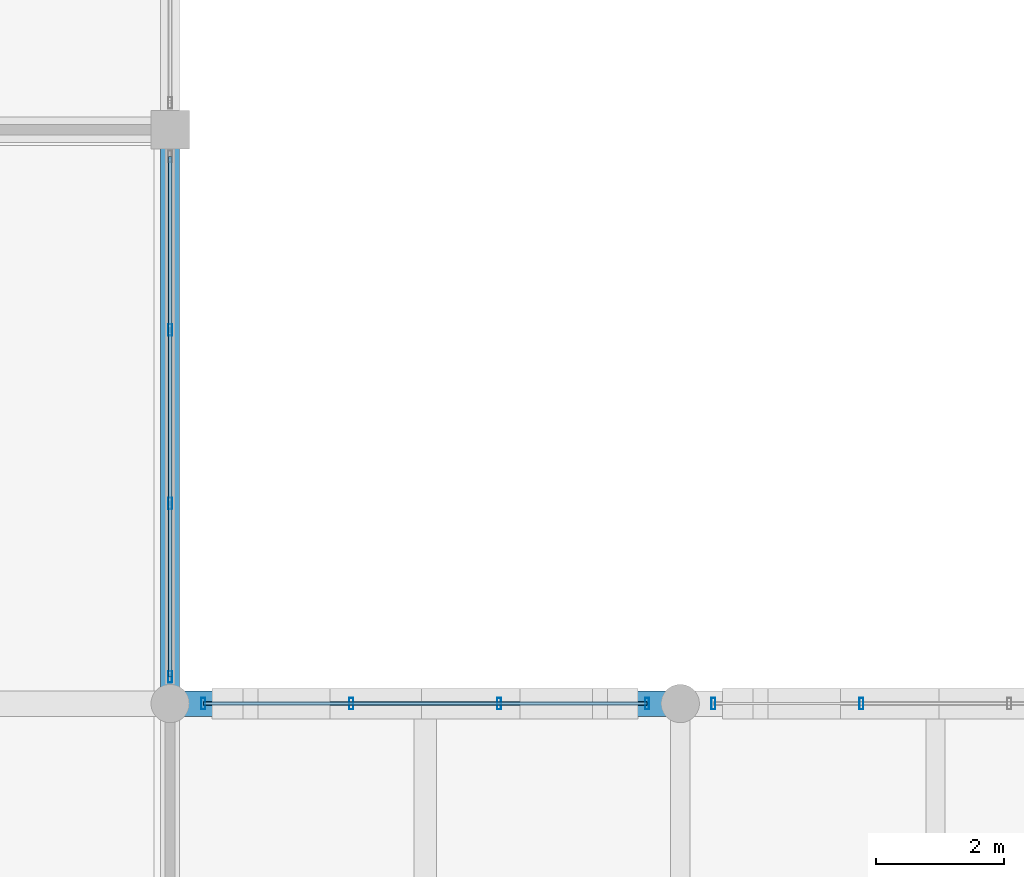
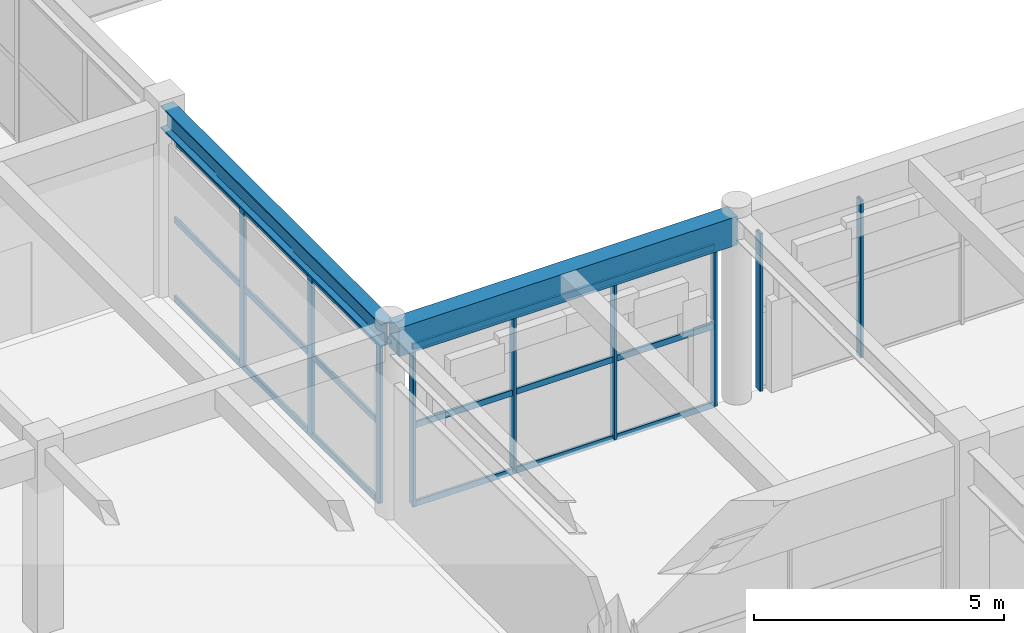
# One storey, part 46 of 144: 15 members, 2 beams, 3 elements without a shape of their own.
"""IFC4 building model written with IfcOpenShell, lengths in metres."""

from ifc_helpers import new_model, si_unit, direction, frame, origin, origin_2d, place, context, subcontext, project, spatial, rectangle, hollow_rectangle, i_section, extrude, material, material_profile, profile_set, type_object, element, aggregate, save


model = new_model("IFC4")

# Units and contexts
model_context = context("Model", 3, precision=1e-05, world=origin(), true_north=direction((0.0, 1.0)))
body_context = subcontext(model_context, "Body", "Model", "MODEL_VIEW")
ifc_project = project(units=[si_unit("LENGTHUNIT", "METRE"), si_unit("AREAUNIT", "SQUARE_METRE"), si_unit("VOLUMEUNIT", "CUBIC_METRE"), si_unit("PLANEANGLEUNIT", "RADIAN"), si_unit("MASSUNIT", "GRAM", prefix="KILO")], contexts=[model_context])

# Site, building, storey
site_placement = place(None, origin())
site = spatial("IfcSite", under=ifc_project, at=site_placement, CompositionType="ELEMENT")
building_placement = place(site_placement, origin())
building = spatial("IfcBuilding", under=site, at=building_placement, Name="Varnabhumi Central Station", CompositionType="ELEMENT")
storey_placement = place(building_placement, frame((0.0, 0.0, 4.800048828125)))
storey = spatial("IfcBuildingStorey", under=building, at=storey_placement, Name="L01", CompositionType="ELEMENT", Elevation=4.800048828125)

# Beams
ifc_material_1 = material(Name="Concrete M40", Category="concrete")
ifc_material_profile_1 = material_profile(ifc_material_1, rectangle(XDim=0.39990234375, YDim=0.699951171875, at=origin_2d()), Name="Concrete M40", Category="concrete")
ifc_profile_set_1 = profile_set([ifc_material_profile_1], Name="Concrete M40")
beam_type_1 = type_object("IfcBeamType", Name="BM-RC-400x700", PredefinedType="BEAM", material=ifc_profile_set_1)
beam_1_placement = place(storey_placement, frame((48.10009765625, 89.0, 4.199951171875), z_axis=(1.0, 0.0, 0.0), x_axis=(0.0, 1.0, 0.0)))
element("IfcBeam", 1, at=beam_1_placement, inside=storey, type_object=beam_type_1, Name="Beam L01-L:7-8", PredefinedType="BEAM", context=body_context, shape_type="SweptSolid", body=[
    extrude(rectangle(XDim=0.39990234375, YDim=0.699951171875, at=origin_2d()), origin(), (0.0, 0.0, 1.0), 7.7998046875),
])
ifc_material_2 = material(Name="Structural steel E350", Category="steel")
ifc_material_profile_2 = material_profile(ifc_material_2, i_section(OverallWidth=0.300048828125, OverallDepth=0.550048828125, WebThickness=0.014892578125, FlangeThickness=0.029052734375, FilletRadius=0.027099609375, at=origin_2d()), Name="Structural steel E350", Category="steel")
ifc_profile_set_2 = profile_set([ifc_material_profile_2], Name="Structural steel E350")
beam_type_2 = type_object("IfcBeamType", Name="BM-STL-WPB550", PredefinedType="BEAM", material=ifc_profile_set_2)
beam_2_placement = place(storey_placement, frame((48.0, 89.10009765625, 4.27490234375), z_axis=(0.0, 1.0, 0.0), x_axis=(-1.0, 0.0, 0.0)))
element("IfcBeam", 2, at=beam_2_placement, inside=storey, type_object=beam_type_2, Name="Beam L01-7:L-M", PredefinedType="BEAM", context=body_context, shape_type="SweptSolid", body=[
    extrude(i_section(OverallWidth=0.300048828125, OverallDepth=0.550048828125, WebThickness=0.014892578125, FlangeThickness=0.029052734375, FilletRadius=0.027099609375, at=origin_2d()), origin(), (0.0, 0.0, 1.0), 8.7998046875),
])

# Curtain wall, members
ifc_material_3 = material(Name="Anodised aluminium 6063-T6", Category="aluminium")
curtain_wall_type = type_object("IfcCurtainWallType", Name="CW-PATIO-LOGGIA-L1", PredefinedType="NOTDEFINED", material=ifc_material_3)
curtain_wall_1_placement = place(storey_placement, origin())
curtain_wall_1 = element("IfcCurtainWall", 3, at=curtain_wall_1_placement, inside=storey, type_object=curtain_wall_type, Name="Curtain Wall CW-NP1E1", PredefinedType="NOTDEFINED")
ifc_material_profile_3 = material_profile(ifc_material_3, hollow_rectangle(XDim=0.06494140625, YDim=0.179931640625, WallThickness=0.00390625, InnerFilletRadius=0.001953125, OuterFilletRadius=0.006103515625, at=origin_2d()), Name="Anodised aluminium 6063-T6", Category="aluminium")
ifc_profile_set_3 = profile_set([ifc_material_profile_3], Name="Anodised aluminium 6063-T6")
member_type_1 = type_object("IfcMemberType", Name="CW-MUL-180", PredefinedType="MULLION", material=ifc_profile_set_3)
member_1_placement = place(storey_placement, frame((48.0, 89.419921875, 0.0), z_axis=(0.0, 0.0, 1.0), x_axis=(1.0, 0.0, 0.0)))
member_1 = element("IfcMember", 4, at=member_1_placement, type_object=member_type_1, Name="Curtain Wall Mullion CW-NP1E1-M1", PredefinedType="MULLION", context=body_context, shape_type="SweptSolid", body=[
    extrude(hollow_rectangle(XDim=0.06494140625, YDim=0.179931640625, WallThickness=0.00390625, InnerFilletRadius=0.001953125, OuterFilletRadius=0.006103515625, at=origin_2d()), origin(), (0.0, 0.0, 1.0), 3.83984375),
])
member_2_placement = place(storey_placement, frame((48.0, 92.139892578125, 0.0), z_axis=(0.0, 0.0, 1.0), x_axis=(1.0, 0.0, 0.0)))
member_2 = element("IfcMember", 5, at=member_2_placement, type_object=member_type_1, Name="Curtain Wall Mullion CW-NP1E1-M2", PredefinedType="MULLION", context=body_context, shape_type="SweptSolid", body=[
    extrude(hollow_rectangle(XDim=0.06494140625, YDim=0.179931640625, WallThickness=0.00390625, InnerFilletRadius=0.001953125, OuterFilletRadius=0.006103515625, at=origin_2d()), origin(), (0.0, 0.0, 1.0), 3.83984375),
])
member_3_placement = place(storey_placement, frame((48.0, 94.860107421875, 0.0), z_axis=(0.0, 0.0, 1.0), x_axis=(1.0, 0.0, 0.0)))
member_3 = element("IfcMember", 6, at=member_3_placement, type_object=member_type_1, Name="Curtain Wall Mullion CW-NP1E1-M3", PredefinedType="MULLION", context=body_context, shape_type="SweptSolid", body=[
    extrude(hollow_rectangle(XDim=0.06494140625, YDim=0.179931640625, WallThickness=0.00390625, InnerFilletRadius=0.001953125, OuterFilletRadius=0.006103515625, at=origin_2d()), origin(), (0.0, 0.0, 1.0), 3.83984375),
])

curtain_wall_2_placement = place(storey_placement, origin())
curtain_wall_2 = element("IfcCurtainWall", 7, at=curtain_wall_2_placement, inside=storey, type_object=curtain_wall_type, Name="Curtain Wall CW-NP1S1", PredefinedType="NOTDEFINED")
member_4_placement = place(storey_placement, frame((48.52001953125, 89.0, 0.0), z_axis=(0.0, 0.0, 1.0), x_axis=(1.0, 0.0, 0.0)))
member_4 = element("IfcMember", 8, at=member_4_placement, type_object=member_type_1, Name="Curtain Wall Mullion CW-NP1S1-M1", PredefinedType="MULLION", context=body_context, shape_type="SweptSolid", body=[
    extrude(hollow_rectangle(XDim=0.06494140625, YDim=0.179931640625, WallThickness=0.00390625, InnerFilletRadius=0.001953125, OuterFilletRadius=0.006103515625, at=origin_2d()), origin(), (0.0, 0.0, 1.0), 3.83984375),
])
member_5_placement = place(storey_placement, frame((50.840087890625, 89.0, 0.0), z_axis=(0.0, 0.0, 1.0), x_axis=(1.0, 0.0, 0.0)))
member_5 = element("IfcMember", 9, at=member_5_placement, type_object=member_type_1, Name="Curtain Wall Mullion CW-NP1S1-M2", PredefinedType="MULLION", context=body_context, shape_type="SweptSolid", body=[
    extrude(hollow_rectangle(XDim=0.06494140625, YDim=0.179931640625, WallThickness=0.00390625, InnerFilletRadius=0.001953125, OuterFilletRadius=0.006103515625, at=origin_2d()), origin(), (0.0, 0.0, 1.0), 3.83984375),
])
member_6_placement = place(storey_placement, frame((53.159912109375, 89.0, 0.0), z_axis=(0.0, 0.0, 1.0), x_axis=(1.0, 0.0, 0.0)))
member_6 = element("IfcMember", 10, at=member_6_placement, type_object=member_type_1, Name="Curtain Wall Mullion CW-NP1S1-M3", PredefinedType="MULLION", context=body_context, shape_type="SweptSolid", body=[
    extrude(hollow_rectangle(XDim=0.06494140625, YDim=0.179931640625, WallThickness=0.00390625, InnerFilletRadius=0.001953125, OuterFilletRadius=0.006103515625, at=origin_2d()), origin(), (0.0, 0.0, 1.0), 3.83984375),
])
member_7_placement = place(storey_placement, frame((55.47998046875, 89.0, 0.0), z_axis=(0.0, 0.0, 1.0), x_axis=(1.0, 0.0, 0.0)))
member_7 = element("IfcMember", 11, at=member_7_placement, type_object=member_type_1, Name="Curtain Wall Mullion CW-NP1S1-M4", PredefinedType="MULLION", context=body_context, shape_type="SweptSolid", body=[
    extrude(hollow_rectangle(XDim=0.06494140625, YDim=0.179931640625, WallThickness=0.00390625, InnerFilletRadius=0.001953125, OuterFilletRadius=0.006103515625, at=origin_2d()), origin(), (0.0, 0.0, 1.0), 3.83984375),
])

curtain_wall_3_placement = place(storey_placement, origin())
curtain_wall_3 = element("IfcCurtainWall", 12, at=curtain_wall_3_placement, inside=storey, type_object=curtain_wall_type, Name="Curtain Wall CW-NP1S2", PredefinedType="NOTDEFINED")
member_8_placement = place(storey_placement, frame((56.52001953125, 89.0, 0.0), z_axis=(0.0, 0.0, 1.0), x_axis=(1.0, 0.0, 0.0)))
member_8 = element("IfcMember", 13, at=member_8_placement, type_object=member_type_1, Name="Curtain Wall Mullion CW-NP1S2-M1", PredefinedType="MULLION", context=body_context, shape_type="SweptSolid", body=[
    extrude(hollow_rectangle(XDim=0.06494140625, YDim=0.179931640625, WallThickness=0.00390625, InnerFilletRadius=0.001953125, OuterFilletRadius=0.006103515625, at=origin_2d()), origin(), (0.0, 0.0, 1.0), 3.83984375),
])
member_9_placement = place(storey_placement, frame((58.840087890625, 89.0, 0.0), z_axis=(0.0, 0.0, 1.0), x_axis=(1.0, 0.0, 0.0)))
member_9 = element("IfcMember", 14, at=member_9_placement, type_object=member_type_1, Name="Curtain Wall Mullion CW-NP1S2-M2", PredefinedType="MULLION", context=body_context, shape_type="SweptSolid", body=[
    extrude(hollow_rectangle(XDim=0.06494140625, YDim=0.179931640625, WallThickness=0.00390625, InnerFilletRadius=0.001953125, OuterFilletRadius=0.006103515625, at=origin_2d()), origin(), (0.0, 0.0, 1.0), 3.83984375),
])
aggregate(curtain_wall_3, [member_8, member_9])

# Member
ifc_material_profile_4 = material_profile(ifc_material_3, hollow_rectangle(XDim=0.06005859375, YDim=0.14990234375, WallThickness=0.00390625, InnerFilletRadius=0.001953125, OuterFilletRadius=0.006103515625, at=origin_2d()), Name="Anodised aluminium 6063-T6", Category="aluminium")
ifc_profile_set_4 = profile_set([ifc_material_profile_4], Name="Anodised aluminium 6063-T6")
member_type_2 = type_object("IfcMemberType", Name="CW-TR-150", PredefinedType="USERDEFINED", material=ifc_profile_set_4)
member_10_placement = place(storey_placement, frame((48.0, 89.419921875, 0.0), z_axis=(0.0, 1.0, 0.0), x_axis=(-1.0, 0.0, 0.0)))
member_10 = element("IfcMember", 15, at=member_10_placement, type_object=member_type_2, Name="Curtain Wall Transom CW-NP1E1-T1", ObjectType="TRANSOM", PredefinedType="USERDEFINED", context=body_context, shape_type="SweptSolid", body=[
    extrude(hollow_rectangle(XDim=0.06005859375, YDim=0.14990234375, WallThickness=0.00390625, InnerFilletRadius=0.001953125, OuterFilletRadius=0.006103515625, at=origin_2d()), origin(), (0.0, 0.0, 1.0), 8.16015625),
])

member_11_placement = place(storey_placement, frame((48.0, 89.419921875, 1.919921875), z_axis=(0.0, 1.0, 0.0), x_axis=(-1.0, 0.0, 0.0)))
member_11 = element("IfcMember", 16, at=member_11_placement, type_object=member_type_2, Name="Curtain Wall Transom CW-NP1E1-T2", ObjectType="TRANSOM", PredefinedType="USERDEFINED", context=body_context, shape_type="SweptSolid", body=[
    extrude(hollow_rectangle(XDim=0.06005859375, YDim=0.14990234375, WallThickness=0.00390625, InnerFilletRadius=0.001953125, OuterFilletRadius=0.006103515625, at=origin_2d()), origin(), (0.0, 0.0, 1.0), 8.16015625),
])

member_12_placement = place(storey_placement, frame((48.0, 89.419921875, 3.83984375), z_axis=(0.0, 1.0, 0.0), x_axis=(-1.0, 0.0, 0.0)))
member_12 = element("IfcMember", 17, at=member_12_placement, type_object=member_type_2, Name="Curtain Wall Transom CW-NP1E1-T3", ObjectType="TRANSOM", PredefinedType="USERDEFINED", context=body_context, shape_type="SweptSolid", body=[
    extrude(hollow_rectangle(XDim=0.06005859375, YDim=0.14990234375, WallThickness=0.00390625, InnerFilletRadius=0.001953125, OuterFilletRadius=0.006103515625, at=origin_2d()), origin(), (0.0, 0.0, 1.0), 8.16015625),
])

aggregate(curtain_wall_1, [member_1, member_2, member_3, member_10, member_11, member_12])

member_13_placement = place(storey_placement, frame((48.52001953125, 89.0, 0.0), z_axis=(1.0, 0.0, 0.0), x_axis=(0.0, 1.0, 0.0)))
member_13 = element("IfcMember", 18, at=member_13_placement, type_object=member_type_2, Name="Curtain Wall Transom CW-NP1S1-T1", ObjectType="TRANSOM", PredefinedType="USERDEFINED", context=body_context, shape_type="SweptSolid", body=[
    extrude(hollow_rectangle(XDim=0.06005859375, YDim=0.14990234375, WallThickness=0.00390625, InnerFilletRadius=0.001953125, OuterFilletRadius=0.006103515625, at=origin_2d()), origin(), (0.0, 0.0, 1.0), 6.9599609375),
])

member_14_placement = place(storey_placement, frame((48.52001953125, 89.0, 1.919921875), z_axis=(1.0, 0.0, 0.0), x_axis=(0.0, 1.0, 0.0)))
member_14 = element("IfcMember", 19, at=member_14_placement, type_object=member_type_2, Name="Curtain Wall Transom CW-NP1S1-T2", ObjectType="TRANSOM", PredefinedType="USERDEFINED", context=body_context, shape_type="SweptSolid", body=[
    extrude(hollow_rectangle(XDim=0.06005859375, YDim=0.14990234375, WallThickness=0.00390625, InnerFilletRadius=0.001953125, OuterFilletRadius=0.006103515625, at=origin_2d()), origin(), (0.0, 0.0, 1.0), 6.9599609375),
])

member_15_placement = place(storey_placement, frame((48.52001953125, 89.0, 3.83984375), z_axis=(1.0, 0.0, 0.0), x_axis=(0.0, 1.0, 0.0)))
member_15 = element("IfcMember", 20, at=member_15_placement, type_object=member_type_2, Name="Curtain Wall Transom CW-NP1S1-T3", ObjectType="TRANSOM", PredefinedType="USERDEFINED", context=body_context, shape_type="SweptSolid", body=[
    extrude(hollow_rectangle(XDim=0.06005859375, YDim=0.14990234375, WallThickness=0.00390625, InnerFilletRadius=0.001953125, OuterFilletRadius=0.006103515625, at=origin_2d()), origin(), (0.0, 0.0, 1.0), 6.9599609375),
])

aggregate(curtain_wall_2, [member_4, member_5, member_6, member_7, member_13, member_14, member_15])

save(model, "model.ifc")
